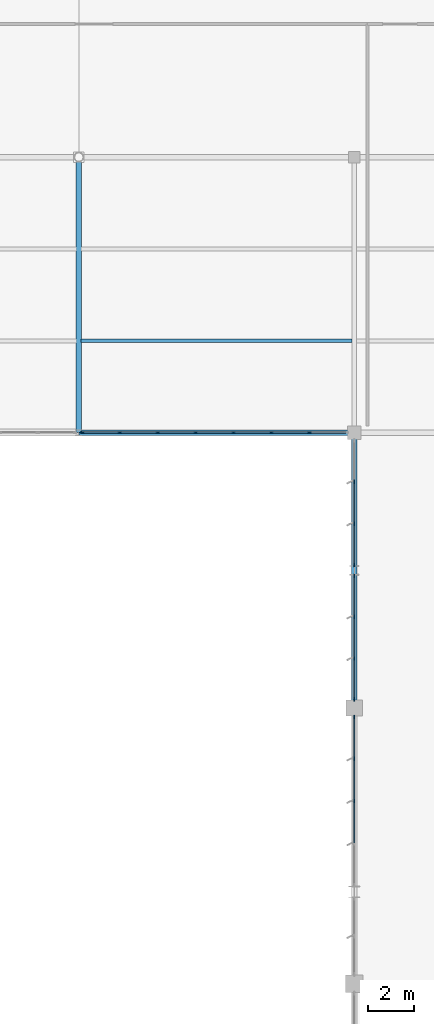
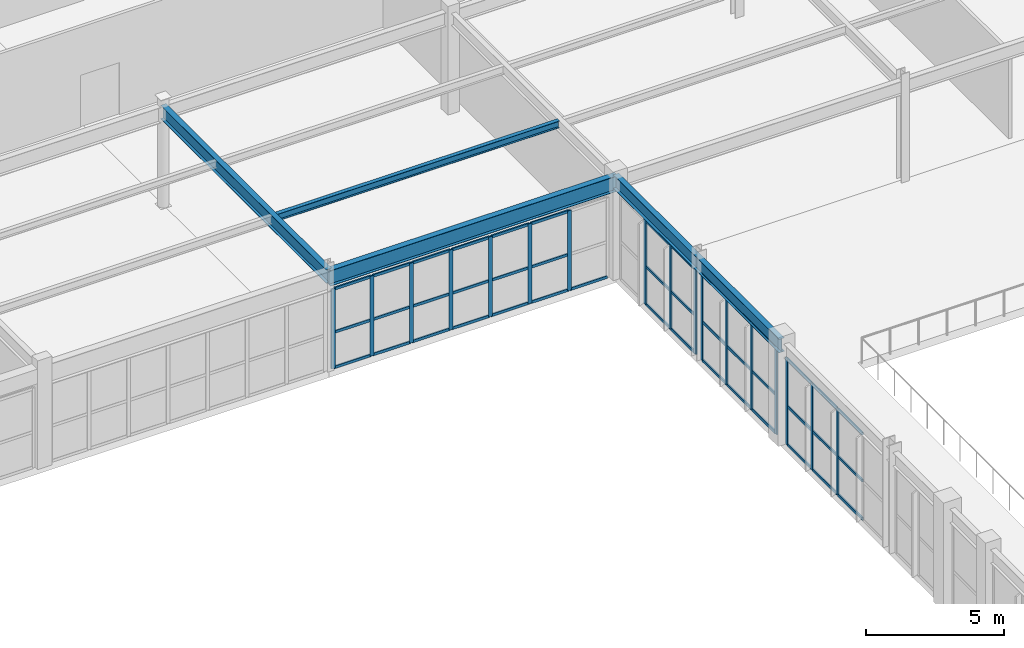
# One storey, part 98 of 226: 60 members, 4 beams, 4 elements without a shape of their own.
"""IFC4 building model written with IfcOpenShell, lengths in metres."""

from ifc_helpers import new_model, si_unit, direction, frame, origin, origin_2d, place, context, subcontext, project, spatial, rectangle, i_section, extrude, material, layer, layer_set, material_profile, profile_set, type_object, element, aggregate, save


model = new_model("IFC4")

# Units and contexts
model_context = context("Model", 3, precision=1e-05, world=origin(), true_north=direction((0.0, 1.0)))
body_context = subcontext(model_context, "Body", "Model", "MODEL_VIEW")
ifc_project = project(units=[si_unit("LENGTHUNIT", "METRE"), si_unit("AREAUNIT", "SQUARE_METRE"), si_unit("VOLUMEUNIT", "CUBIC_METRE"), si_unit("PLANEANGLEUNIT", "RADIAN"), si_unit("MASSUNIT", "GRAM", prefix="KILO")], contexts=[model_context])

# Site, building, storey
site_placement = place(None, origin())
site = spatial("IfcSite", under=ifc_project, at=site_placement, CompositionType="ELEMENT")
building_placement = place(site_placement, origin())
building = spatial("IfcBuilding", under=site, at=building_placement, Name="Tarnwether General Hospital", CompositionType="ELEMENT")
storey_placement = place(building_placement, frame((0.0, 0.0, 4.800048828125)))
storey = spatial("IfcBuildingStorey", under=building, at=storey_placement, Name="L01", CompositionType="ELEMENT", Elevation=4.800048828125)

# Beams
ifc_material_1 = material(Name="Steel Grade 350 (350 MPa)", Category="steel")
ifc_material_profile_1 = material_profile(ifc_material_1, i_section(OverallWidth=0.25, OverallDepth=0.69189453125, WebThickness=0.009033203125, FlangeThickness=0.01611328125, at=origin_2d()), Name="700WB115")
ifc_profile_set_1 = profile_set([ifc_material_profile_1], Name="Steel Grade 350 (350 MPa)")
beam_type_1 = type_object("IfcBeamType", Name="BM-G02", PredefinedType="BEAM", material=ifc_profile_set_1)
beam_1_placement = place(storey_placement, frame((96.0, 81.60009765625, 4.098876953125), z_axis=(1.0, 0.0, 0.0), x_axis=(0.0, 1.0, 0.0)))
element("IfcBeam", 1, at=beam_1_placement, inside=storey, type_object=beam_type_1, Name="Primary Girder BMG-L01-9600_8160-10800_8160-1165", PredefinedType="BEAM", context=body_context, shape_type="SweptSolid", body=[
    extrude(i_section(OverallWidth=0.25, OverallDepth=0.69189453125, WebThickness=0.009033203125, FlangeThickness=0.01611328125, at=origin_2d()), origin(), (0.0, 0.0, 1.0), 12.0),
])
ifc_material_2 = material(Name="Steel Grade 350 (350 MPa)", Category="steel")
ifc_material_profile_2 = material_profile(ifc_material_2, i_section(OverallWidth=0.22802734375, OverallDepth=0.60205078125, WebThickness=0.010498046875, FlangeThickness=0.014892578125, at=origin_2d()), Name="610UB101")
ifc_profile_set_2 = profile_set([ifc_material_profile_2], Name="Steel Grade 350 (350 MPa)")
beam_type_2 = type_object("IfcBeamType", Name="BM-G05", PredefinedType="BEAM", material=ifc_profile_set_2)
for number, where, z_axis, x_axis, name in (
    (2, (96.0, 81.60009765625, 4.14404296875), (0.0, 1.0, 0.0), (-1.0, 0.0, 0.0), "Primary Girder BMG-L01-9600_8160-9600_9360-1166"),
    (3, (108.0, 69.60009765625, 4.14404296875), (0.0, 1.0, 0.0), (-1.0, 0.0, 0.0), "Primary Girder BMG-L01-10800_6960-10800_8160-1178"),
):
    element("IfcBeam", number, at=place(storey_placement, frame(where, z_axis=z_axis, x_axis=x_axis)), inside=storey, type_object=beam_type_2, Name=name, PredefinedType="BEAM", context=body_context, shape_type="SweptSolid", body=[
        extrude(i_section(OverallWidth=0.22802734375, OverallDepth=0.60205078125, WebThickness=0.010498046875, FlangeThickness=0.014892578125, at=origin_2d()), origin(), (0.0, 0.0, 1.0), 12.0),
    ])
ifc_material_3 = material(Name="Steel Grade 350 (350 MPa)", Category="steel")
ifc_material_profile_3 = material_profile(ifc_material_3, i_section(OverallWidth=0.166015625, OverallDepth=0.306884765625, WebThickness=0.006591796875, FlangeThickness=0.01171875, at=origin_2d()), Name="310UB46.2")
ifc_profile_set_3 = profile_set([ifc_material_profile_3], Name="Steel Grade 350 (350 MPa)")
beam_type_3 = type_object("IfcBeamType", Name="BM-J05", PredefinedType="JOIST", material=ifc_profile_set_3)
beam_2_placement = place(storey_placement, frame((96.10791015625, 85.60009765625, 4.29150390625), z_axis=(1.0, 0.0, 0.0), x_axis=(0.0, 1.0, 0.0)))
element("IfcBeam", 4, at=beam_2_placement, inside=storey, type_object=beam_type_3, Name="Composite Floor Joist BMG-L01-9611_8560-10790_8560-1373", PredefinedType="JOIST", context=body_context, shape_type="SweptSolid", body=[
    extrude(i_section(OverallWidth=0.166015625, OverallDepth=0.306884765625, WebThickness=0.006591796875, FlangeThickness=0.01171875, at=origin_2d()), origin(), (0.0, 0.0, 1.0), 11.79296875),
])

# Curtain wall, members
ifc_material_4 = material(Name="Anodised aluminium", Category="aluminium")
ifc_layer_1 = layer(ifc_material_4, 0.159912109375)
ifc_layer_set_1 = layer_set([ifc_layer_1], Name="Anodised aluminium")
curtain_wall_type_1 = type_object("IfcCurtainWallType", Name="CW-23", PredefinedType="NOTDEFINED", material=ifc_layer_set_1)
curtain_wall_1_placement = place(storey_placement, origin())
curtain_wall_1 = element("IfcCurtainWall", 5, at=curtain_wall_1_placement, inside=storey, type_object=curtain_wall_type_1, Name="Curtain Wall CWG-L01-961_816-0342", PredefinedType="NOTDEFINED")
ifc_material_5 = material(Name="Anodised aluminium", Category="aluminium")
ifc_material_profile_4 = material_profile(ifc_material_5, rectangle(XDim=0.06005859375, YDim=0.159912109375, at=origin_2d()), Name="ALU-MUL-60x160")
ifc_profile_set_4 = profile_set([ifc_material_profile_4], Name="Anodised aluminium")
member_type_1 = type_object("IfcMemberType", Name="CW-ML1", PredefinedType="MULLION", material=ifc_profile_set_4)
member_1_placement = place(storey_placement, frame((96.166015625, 81.60009765625, 0.0), z_axis=(0.0, 0.0, 1.0), x_axis=(0.0, 1.0, 0.0)))
member_1 = element("IfcMember", 6, at=member_1_placement, type_object=member_type_1, Name="CW-23 mullion 1", PredefinedType="MULLION", context=body_context, shape_type="SweptSolid", body=[
    extrude(rectangle(XDim=0.06005859375, YDim=0.159912109375, at=origin_2d()), origin(), (0.0, 0.0, 1.0), 3.530029296875),
])
member_2_placement = place(storey_placement, frame((97.786865234375, 81.60009765625, 0.0), z_axis=(0.0, 0.0, 1.0), x_axis=(0.0, 1.0, 0.0)))
member_2 = element("IfcMember", 7, at=member_2_placement, type_object=member_type_1, Name="CW-23 mullion 2", PredefinedType="MULLION", context=body_context, shape_type="SweptSolid", body=[
    extrude(rectangle(XDim=0.06005859375, YDim=0.159912109375, at=origin_2d()), origin(), (0.0, 0.0, 1.0), 3.530029296875),
])
member_3_placement = place(storey_placement, frame((99.437744140625, 81.60009765625, 0.0), z_axis=(0.0, 0.0, 1.0), x_axis=(0.0, 1.0, 0.0)))
member_3 = element("IfcMember", 8, at=member_3_placement, type_object=member_type_1, Name="CW-23 mullion 3", PredefinedType="MULLION", context=body_context, shape_type="SweptSolid", body=[
    extrude(rectangle(XDim=0.06005859375, YDim=0.159912109375, at=origin_2d()), origin(), (0.0, 0.0, 1.0), 3.530029296875),
])
member_4_placement = place(storey_placement, frame((101.088623046875, 81.60009765625, 0.0), z_axis=(0.0, 0.0, 1.0), x_axis=(0.0, 1.0, 0.0)))
member_4 = element("IfcMember", 9, at=member_4_placement, type_object=member_type_1, Name="CW-23 mullion 4", PredefinedType="MULLION", context=body_context, shape_type="SweptSolid", body=[
    extrude(rectangle(XDim=0.06005859375, YDim=0.159912109375, at=origin_2d()), origin(), (0.0, 0.0, 1.0), 3.530029296875),
])
member_5_placement = place(storey_placement, frame((102.739501953125, 81.60009765625, 0.0), z_axis=(0.0, 0.0, 1.0), x_axis=(0.0, 1.0, 0.0)))
member_5 = element("IfcMember", 10, at=member_5_placement, type_object=member_type_1, Name="CW-23 mullion 5", PredefinedType="MULLION", context=body_context, shape_type="SweptSolid", body=[
    extrude(rectangle(XDim=0.06005859375, YDim=0.159912109375, at=origin_2d()), origin(), (0.0, 0.0, 1.0), 3.530029296875),
])
member_6_placement = place(storey_placement, frame((104.390380859375, 81.60009765625, 0.0), z_axis=(0.0, 0.0, 1.0), x_axis=(0.0, 1.0, 0.0)))
member_6 = element("IfcMember", 11, at=member_6_placement, type_object=member_type_1, Name="CW-23 mullion 6", PredefinedType="MULLION", context=body_context, shape_type="SweptSolid", body=[
    extrude(rectangle(XDim=0.06005859375, YDim=0.159912109375, at=origin_2d()), origin(), (0.0, 0.0, 1.0), 3.530029296875),
])
member_7_placement = place(storey_placement, frame((106.041259765625, 81.60009765625, 0.0), z_axis=(0.0, 0.0, 1.0), x_axis=(0.0, 1.0, 0.0)))
member_7 = element("IfcMember", 12, at=member_7_placement, type_object=member_type_1, Name="CW-23 mullion 7", PredefinedType="MULLION", context=body_context, shape_type="SweptSolid", body=[
    extrude(rectangle(XDim=0.06005859375, YDim=0.159912109375, at=origin_2d()), origin(), (0.0, 0.0, 1.0), 3.530029296875),
])

ifc_material_6 = material(Name="Anodised aluminium", Category="aluminium")
ifc_layer_2 = layer(ifc_material_6, 0.179931640625)
ifc_layer_set_2 = layer_set([ifc_layer_2], Name="Anodised aluminium")
curtain_wall_type_2 = type_object("IfcCurtainWallType", Name="CW-07", PredefinedType="NOTDEFINED", material=ifc_layer_set_2)
curtain_wall_2_placement = place(storey_placement, origin())
curtain_wall_2 = element("IfcCurtainWall", 13, at=curtain_wall_2_placement, inside=storey, type_object=curtain_wall_type_2, Name="Curtain Wall CWG-L01-1080_619-0358", PredefinedType="NOTDEFINED")
member_8_placement = place(storey_placement, frame((108.0, 65.550048828125, 0.0), z_axis=(0.0, 0.0, 1.0), x_axis=(-1.0, 0.0, 0.0)))
member_8 = element("IfcMember", 14, at=member_8_placement, type_object=member_type_1, Name="CW-07 mullion 3", PredefinedType="MULLION", context=body_context, shape_type="SweptSolid", body=[
    extrude(rectangle(XDim=0.06005859375, YDim=0.159912109375, at=origin_2d()), origin(), (0.0, 0.0, 1.0), 3.822998046875),
])
member_9_placement = place(storey_placement, frame((108.0, 67.39599609375, 0.0), z_axis=(0.0, 0.0, 1.0), x_axis=(-1.0, 0.0, 0.0)))
member_9 = element("IfcMember", 15, at=member_9_placement, type_object=member_type_1, Name="CW-07 mullion 4", PredefinedType="MULLION", context=body_context, shape_type="SweptSolid", body=[
    extrude(rectangle(XDim=0.06005859375, YDim=0.159912109375, at=origin_2d()), origin(), (0.0, 0.0, 1.0), 3.822998046875),
])
member_10_placement = place(storey_placement, frame((108.0, 69.2119140625, 0.0), z_axis=(0.0, 0.0, 1.0), x_axis=(-1.0, 0.0, 0.0)))
member_10 = element("IfcMember", 16, at=member_10_placement, type_object=member_type_1, Name="CW-07 mullion 5", PredefinedType="MULLION", context=body_context, shape_type="SweptSolid", body=[
    extrude(rectangle(XDim=0.06005859375, YDim=0.159912109375, at=origin_2d()), origin(), (0.0, 0.0, 1.0), 3.822998046875),
])

curtain_wall_3_placement = place(storey_placement, origin())
curtain_wall_3 = element("IfcCurtainWall", 17, at=curtain_wall_3_placement, inside=storey, type_object=curtain_wall_type_2, Name="Curtain Wall CWG-L01-1080_700-0359", PredefinedType="NOTDEFINED")
member_11_placement = place(storey_placement, frame((108.0, 69.988037109375, 0.0), z_axis=(0.0, 0.0, 1.0), x_axis=(-1.0, 0.0, 0.0)))
member_11 = element("IfcMember", 18, at=member_11_placement, type_object=member_type_1, Name="CW-07 mullion 1", PredefinedType="MULLION", context=body_context, shape_type="SweptSolid", body=[
    extrude(rectangle(XDim=0.06005859375, YDim=0.159912109375, at=origin_2d()), origin(), (0.0, 0.0, 1.0), 3.827880859375),
])
member_12_placement = place(storey_placement, frame((108.0, 71.769287109375, 0.0), z_axis=(0.0, 0.0, 1.0), x_axis=(-1.0, 0.0, 0.0)))
member_12 = element("IfcMember", 19, at=member_12_placement, type_object=member_type_1, Name="CW-07 mullion 2", PredefinedType="MULLION", context=body_context, shape_type="SweptSolid", body=[
    extrude(rectangle(XDim=0.06005859375, YDim=0.159912109375, at=origin_2d()), origin(), (0.0, 0.0, 1.0), 3.827880859375),
])
member_13_placement = place(storey_placement, frame((108.0, 73.58056640625, 0.0), z_axis=(0.0, 0.0, 1.0), x_axis=(-1.0, 0.0, 0.0)))
member_13 = element("IfcMember", 20, at=member_13_placement, type_object=member_type_1, Name="CW-07 mullion 3", PredefinedType="MULLION", context=body_context, shape_type="SweptSolid", body=[
    extrude(rectangle(XDim=0.06005859375, YDim=0.159912109375, at=origin_2d()), origin(), (0.0, 0.0, 1.0), 3.827880859375),
])
member_14_placement = place(storey_placement, frame((108.0, 75.362060546875, 0.0), z_axis=(0.0, 0.0, 1.0), x_axis=(-1.0, 0.0, 0.0)))
member_14 = element("IfcMember", 21, at=member_14_placement, type_object=member_type_1, Name="CW-07 mullion 4", PredefinedType="MULLION", context=body_context, shape_type="SweptSolid", body=[
    extrude(rectangle(XDim=0.06005859375, YDim=0.159912109375, at=origin_2d()), origin(), (0.0, 0.0, 1.0), 3.827880859375),
])

curtain_wall_4_placement = place(storey_placement, origin())
curtain_wall_4 = element("IfcCurtainWall", 22, at=curtain_wall_4_placement, inside=storey, type_object=curtain_wall_type_2, Name="Curtain Wall CWG-L01-1080_758-0360", PredefinedType="NOTDEFINED")
member_15_placement = place(storey_placement, frame((108.0, 75.837890625, 0.0), z_axis=(0.0, 0.0, 1.0), x_axis=(-1.0, 0.0, 0.0)))
member_15 = element("IfcMember", 23, at=member_15_placement, type_object=member_type_1, Name="CW-07 mullion 1", PredefinedType="MULLION", context=body_context, shape_type="SweptSolid", body=[
    extrude(rectangle(XDim=0.06005859375, YDim=0.159912109375, at=origin_2d()), origin(), (0.0, 0.0, 1.0), 3.738037109375),
])
member_16_placement = place(storey_placement, frame((108.0, 77.635986328125, 0.0), z_axis=(0.0, 0.0, 1.0), x_axis=(-1.0, 0.0, 0.0)))
member_16 = element("IfcMember", 24, at=member_16_placement, type_object=member_type_1, Name="CW-07 mullion 2", PredefinedType="MULLION", context=body_context, shape_type="SweptSolid", body=[
    extrude(rectangle(XDim=0.06005859375, YDim=0.159912109375, at=origin_2d()), origin(), (0.0, 0.0, 1.0), 3.738037109375),
])
member_17_placement = place(storey_placement, frame((108.0, 79.464111328125, 0.0), z_axis=(0.0, 0.0, 1.0), x_axis=(-1.0, 0.0, 0.0)))
member_17 = element("IfcMember", 25, at=member_17_placement, type_object=member_type_1, Name="CW-07 mullion 3", PredefinedType="MULLION", context=body_context, shape_type="SweptSolid", body=[
    extrude(rectangle(XDim=0.06005859375, YDim=0.159912109375, at=origin_2d()), origin(), (0.0, 0.0, 1.0), 3.738037109375),
])

# Member
ifc_material_7 = material(Name="Anodised aluminium", Category="aluminium")
ifc_material_profile_5 = material_profile(ifc_material_7, rectangle(XDim=0.06005859375, YDim=0.1201171875, at=origin_2d()), Name="ALU-TRN-60x120")
ifc_profile_set_5 = profile_set([ifc_material_profile_5], Name="Anodised aluminium")
member_type_2 = type_object("IfcMemberType", Name="CW-TR1", PredefinedType="USERDEFINED", material=ifc_profile_set_5)
member_18_placement = place(storey_placement, frame((96.196044921875, 81.60009765625, 0.030029296875), z_axis=(1.0, 0.0, 0.0), x_axis=(0.0, 1.0, 0.0)))
member_18 = element("IfcMember", 26, at=member_18_placement, type_object=member_type_2, Name="CW-23 transom 1.1", ObjectType="TRANSOM", PredefinedType="USERDEFINED", context=body_context, shape_type="SweptSolid", body=[
    extrude(rectangle(XDim=0.06005859375, YDim=0.1201171875, at=origin_2d()), origin(), (0.0, 0.0, 1.0), 1.560791015625),
])

member_19_placement = place(storey_placement, frame((96.196044921875, 81.60009765625, 1.58837890625), z_axis=(1.0, 0.0, 0.0), x_axis=(0.0, 1.0, 0.0)))
member_19 = element("IfcMember", 27, at=member_19_placement, type_object=member_type_2, Name="CW-23 transom 1.2", ObjectType="TRANSOM", PredefinedType="USERDEFINED", context=body_context, shape_type="SweptSolid", body=[
    extrude(rectangle(XDim=0.06005859375, YDim=0.1201171875, at=origin_2d()), origin(), (0.0, 0.0, 1.0), 1.560791015625),
])

member_20_placement = place(storey_placement, frame((96.196044921875, 81.60009765625, 3.5), z_axis=(1.0, 0.0, 0.0), x_axis=(0.0, 1.0, 0.0)))
member_20 = element("IfcMember", 28, at=member_20_placement, type_object=member_type_2, Name="CW-23 transom 1.3", ObjectType="TRANSOM", PredefinedType="USERDEFINED", context=body_context, shape_type="SweptSolid", body=[
    extrude(rectangle(XDim=0.06005859375, YDim=0.1201171875, at=origin_2d()), origin(), (0.0, 0.0, 1.0), 1.560791015625),
])

member_21_placement = place(storey_placement, frame((97.81689453125, 81.60009765625, 0.030029296875), z_axis=(1.0, 0.0, 0.0), x_axis=(0.0, 1.0, 0.0)))
member_21 = element("IfcMember", 29, at=member_21_placement, type_object=member_type_2, Name="CW-23 transom 2.1", ObjectType="TRANSOM", PredefinedType="USERDEFINED", context=body_context, shape_type="SweptSolid", body=[
    extrude(rectangle(XDim=0.06005859375, YDim=0.1201171875, at=origin_2d()), origin(), (0.0, 0.0, 1.0), 1.5908203125),
])

member_22_placement = place(storey_placement, frame((97.81689453125, 81.60009765625, 1.58837890625), z_axis=(1.0, 0.0, 0.0), x_axis=(0.0, 1.0, 0.0)))
member_22 = element("IfcMember", 30, at=member_22_placement, type_object=member_type_2, Name="CW-23 transom 2.2", ObjectType="TRANSOM", PredefinedType="USERDEFINED", context=body_context, shape_type="SweptSolid", body=[
    extrude(rectangle(XDim=0.06005859375, YDim=0.1201171875, at=origin_2d()), origin(), (0.0, 0.0, 1.0), 1.5908203125),
])

member_23_placement = place(storey_placement, frame((97.81689453125, 81.60009765625, 3.5), z_axis=(1.0, 0.0, 0.0), x_axis=(0.0, 1.0, 0.0)))
member_23 = element("IfcMember", 31, at=member_23_placement, type_object=member_type_2, Name="CW-23 transom 2.3", ObjectType="TRANSOM", PredefinedType="USERDEFINED", context=body_context, shape_type="SweptSolid", body=[
    extrude(rectangle(XDim=0.06005859375, YDim=0.1201171875, at=origin_2d()), origin(), (0.0, 0.0, 1.0), 1.5908203125),
])

member_24_placement = place(storey_placement, frame((99.4677734375, 81.60009765625, 0.030029296875), z_axis=(1.0, 0.0, 0.0), x_axis=(0.0, 1.0, 0.0)))
member_24 = element("IfcMember", 32, at=member_24_placement, type_object=member_type_2, Name="CW-23 transom 3.1", ObjectType="TRANSOM", PredefinedType="USERDEFINED", context=body_context, shape_type="SweptSolid", body=[
    extrude(rectangle(XDim=0.06005859375, YDim=0.1201171875, at=origin_2d()), origin(), (0.0, 0.0, 1.0), 1.5908203125),
])

member_25_placement = place(storey_placement, frame((99.4677734375, 81.60009765625, 1.58837890625), z_axis=(1.0, 0.0, 0.0), x_axis=(0.0, 1.0, 0.0)))
member_25 = element("IfcMember", 33, at=member_25_placement, type_object=member_type_2, Name="CW-23 transom 3.2", ObjectType="TRANSOM", PredefinedType="USERDEFINED", context=body_context, shape_type="SweptSolid", body=[
    extrude(rectangle(XDim=0.06005859375, YDim=0.1201171875, at=origin_2d()), origin(), (0.0, 0.0, 1.0), 1.5908203125),
])

member_26_placement = place(storey_placement, frame((99.4677734375, 81.60009765625, 3.5), z_axis=(1.0, 0.0, 0.0), x_axis=(0.0, 1.0, 0.0)))
member_26 = element("IfcMember", 34, at=member_26_placement, type_object=member_type_2, Name="CW-23 transom 3.3", ObjectType="TRANSOM", PredefinedType="USERDEFINED", context=body_context, shape_type="SweptSolid", body=[
    extrude(rectangle(XDim=0.06005859375, YDim=0.1201171875, at=origin_2d()), origin(), (0.0, 0.0, 1.0), 1.5908203125),
])

member_27_placement = place(storey_placement, frame((101.11865234375, 81.60009765625, 0.030029296875), z_axis=(1.0, 0.0, 0.0), x_axis=(0.0, 1.0, 0.0)))
member_27 = element("IfcMember", 35, at=member_27_placement, type_object=member_type_2, Name="CW-23 transom 4.1", ObjectType="TRANSOM", PredefinedType="USERDEFINED", context=body_context, shape_type="SweptSolid", body=[
    extrude(rectangle(XDim=0.06005859375, YDim=0.1201171875, at=origin_2d()), origin(), (0.0, 0.0, 1.0), 1.5908203125),
])

member_28_placement = place(storey_placement, frame((101.11865234375, 81.60009765625, 1.58837890625), z_axis=(1.0, 0.0, 0.0), x_axis=(0.0, 1.0, 0.0)))
member_28 = element("IfcMember", 36, at=member_28_placement, type_object=member_type_2, Name="CW-23 transom 4.2", ObjectType="TRANSOM", PredefinedType="USERDEFINED", context=body_context, shape_type="SweptSolid", body=[
    extrude(rectangle(XDim=0.06005859375, YDim=0.1201171875, at=origin_2d()), origin(), (0.0, 0.0, 1.0), 1.5908203125),
])

member_29_placement = place(storey_placement, frame((101.11865234375, 81.60009765625, 3.5), z_axis=(1.0, 0.0, 0.0), x_axis=(0.0, 1.0, 0.0)))
member_29 = element("IfcMember", 37, at=member_29_placement, type_object=member_type_2, Name="CW-23 transom 4.3", ObjectType="TRANSOM", PredefinedType="USERDEFINED", context=body_context, shape_type="SweptSolid", body=[
    extrude(rectangle(XDim=0.06005859375, YDim=0.1201171875, at=origin_2d()), origin(), (0.0, 0.0, 1.0), 1.5908203125),
])

member_30_placement = place(storey_placement, frame((102.76953125, 81.60009765625, 0.030029296875), z_axis=(1.0, 0.0, 0.0), x_axis=(0.0, 1.0, 0.0)))
member_30 = element("IfcMember", 38, at=member_30_placement, type_object=member_type_2, Name="CW-23 transom 5.1", ObjectType="TRANSOM", PredefinedType="USERDEFINED", context=body_context, shape_type="SweptSolid", body=[
    extrude(rectangle(XDim=0.06005859375, YDim=0.1201171875, at=origin_2d()), origin(), (0.0, 0.0, 1.0), 1.5908203125),
])

member_31_placement = place(storey_placement, frame((102.76953125, 81.60009765625, 1.58837890625), z_axis=(1.0, 0.0, 0.0), x_axis=(0.0, 1.0, 0.0)))
member_31 = element("IfcMember", 39, at=member_31_placement, type_object=member_type_2, Name="CW-23 transom 5.2", ObjectType="TRANSOM", PredefinedType="USERDEFINED", context=body_context, shape_type="SweptSolid", body=[
    extrude(rectangle(XDim=0.06005859375, YDim=0.1201171875, at=origin_2d()), origin(), (0.0, 0.0, 1.0), 1.5908203125),
])

member_32_placement = place(storey_placement, frame((102.76953125, 81.60009765625, 3.5), z_axis=(1.0, 0.0, 0.0), x_axis=(0.0, 1.0, 0.0)))
member_32 = element("IfcMember", 40, at=member_32_placement, type_object=member_type_2, Name="CW-23 transom 5.3", ObjectType="TRANSOM", PredefinedType="USERDEFINED", context=body_context, shape_type="SweptSolid", body=[
    extrude(rectangle(XDim=0.06005859375, YDim=0.1201171875, at=origin_2d()), origin(), (0.0, 0.0, 1.0), 1.5908203125),
])

member_33_placement = place(storey_placement, frame((104.420166015625, 81.60009765625, 0.030029296875), z_axis=(1.0, 0.0, 0.0), x_axis=(0.0, 1.0, 0.0)))
member_33 = element("IfcMember", 41, at=member_33_placement, type_object=member_type_2, Name="CW-23 transom 6.1", ObjectType="TRANSOM", PredefinedType="USERDEFINED", context=body_context, shape_type="SweptSolid", body=[
    extrude(rectangle(XDim=0.06005859375, YDim=0.1201171875, at=origin_2d()), origin(), (0.0, 0.0, 1.0), 1.591064453125),
])

member_34_placement = place(storey_placement, frame((104.420166015625, 81.60009765625, 1.58837890625), z_axis=(1.0, 0.0, 0.0), x_axis=(0.0, 1.0, 0.0)))
member_34 = element("IfcMember", 42, at=member_34_placement, type_object=member_type_2, Name="CW-23 transom 6.2", ObjectType="TRANSOM", PredefinedType="USERDEFINED", context=body_context, shape_type="SweptSolid", body=[
    extrude(rectangle(XDim=0.06005859375, YDim=0.1201171875, at=origin_2d()), origin(), (0.0, 0.0, 1.0), 1.591064453125),
])

member_35_placement = place(storey_placement, frame((104.420166015625, 81.60009765625, 3.5), z_axis=(1.0, 0.0, 0.0), x_axis=(0.0, 1.0, 0.0)))
member_35 = element("IfcMember", 43, at=member_35_placement, type_object=member_type_2, Name="CW-23 transom 6.3", ObjectType="TRANSOM", PredefinedType="USERDEFINED", context=body_context, shape_type="SweptSolid", body=[
    extrude(rectangle(XDim=0.06005859375, YDim=0.1201171875, at=origin_2d()), origin(), (0.0, 0.0, 1.0), 1.591064453125),
])

member_36_placement = place(storey_placement, frame((106.071044921875, 81.60009765625, 0.030029296875), z_axis=(1.0, 0.0, 0.0), x_axis=(0.0, 1.0, 0.0)))
member_36 = element("IfcMember", 44, at=member_36_placement, type_object=member_type_2, Name="CW-23 transom 7.1", ObjectType="TRANSOM", PredefinedType="USERDEFINED", context=body_context, shape_type="SweptSolid", body=[
    extrude(rectangle(XDim=0.06005859375, YDim=0.1201171875, at=origin_2d()), origin(), (0.0, 0.0, 1.0), 1.56103515625),
])

aggregate(curtain_wall_1, [member_1, member_2, member_3, member_4, member_5, member_6, member_7, member_18, member_19, member_20, member_21, member_22, member_23, member_24, member_25, member_26, member_27, member_28, member_29, member_30, member_31, member_32, member_33, member_34, member_35, member_36])

member_37_placement = place(storey_placement, frame((108.0, 63.73388671875, 0.030029296875), z_axis=(0.0, 1.0, 0.0), x_axis=(-1.0, 0.0, 0.0)))
member_37 = element("IfcMember", 45, at=member_37_placement, type_object=member_type_2, Name="CW-07 transom 2.1", ObjectType="TRANSOM", PredefinedType="USERDEFINED", context=body_context, shape_type="SweptSolid", body=[
    extrude(rectangle(XDim=0.06005859375, YDim=0.1201171875, at=origin_2d()), origin(), (0.0, 0.0, 1.0), 1.7861328125),
])

member_38_placement = place(storey_placement, frame((108.0, 63.73388671875, 1.72021484375), z_axis=(0.0, 1.0, 0.0), x_axis=(-1.0, 0.0, 0.0)))
member_38 = element("IfcMember", 46, at=member_38_placement, type_object=member_type_2, Name="CW-07 transom 2.2", ObjectType="TRANSOM", PredefinedType="USERDEFINED", context=body_context, shape_type="SweptSolid", body=[
    extrude(rectangle(XDim=0.06005859375, YDim=0.1201171875, at=origin_2d()), origin(), (0.0, 0.0, 1.0), 1.7861328125),
])

member_39_placement = place(storey_placement, frame((108.0, 63.73388671875, 3.79296875), z_axis=(0.0, 1.0, 0.0), x_axis=(-1.0, 0.0, 0.0)))
member_39 = element("IfcMember", 47, at=member_39_placement, type_object=member_type_2, Name="CW-07 transom 2.3", ObjectType="TRANSOM", PredefinedType="USERDEFINED", context=body_context, shape_type="SweptSolid", body=[
    extrude(rectangle(XDim=0.06005859375, YDim=0.1201171875, at=origin_2d()), origin(), (0.0, 0.0, 1.0), 1.7861328125),
])

member_40_placement = place(storey_placement, frame((108.0, 65.580078125, 0.030029296875), z_axis=(0.0, 1.0, 0.0), x_axis=(-1.0, 0.0, 0.0)))
member_40 = element("IfcMember", 48, at=member_40_placement, type_object=member_type_2, Name="CW-07 transom 3.1", ObjectType="TRANSOM", PredefinedType="USERDEFINED", context=body_context, shape_type="SweptSolid", body=[
    extrude(rectangle(XDim=0.06005859375, YDim=0.1201171875, at=origin_2d()), origin(), (0.0, 0.0, 1.0), 1.785888671875),
])

member_41_placement = place(storey_placement, frame((108.0, 65.580078125, 1.72021484375), z_axis=(0.0, 1.0, 0.0), x_axis=(-1.0, 0.0, 0.0)))
member_41 = element("IfcMember", 49, at=member_41_placement, type_object=member_type_2, Name="CW-07 transom 3.2", ObjectType="TRANSOM", PredefinedType="USERDEFINED", context=body_context, shape_type="SweptSolid", body=[
    extrude(rectangle(XDim=0.06005859375, YDim=0.1201171875, at=origin_2d()), origin(), (0.0, 0.0, 1.0), 1.785888671875),
])

member_42_placement = place(storey_placement, frame((108.0, 65.580078125, 3.79296875), z_axis=(0.0, 1.0, 0.0), x_axis=(-1.0, 0.0, 0.0)))
member_42 = element("IfcMember", 50, at=member_42_placement, type_object=member_type_2, Name="CW-07 transom 3.3", ObjectType="TRANSOM", PredefinedType="USERDEFINED", context=body_context, shape_type="SweptSolid", body=[
    extrude(rectangle(XDim=0.06005859375, YDim=0.1201171875, at=origin_2d()), origin(), (0.0, 0.0, 1.0), 1.785888671875),
])

member_43_placement = place(storey_placement, frame((108.0, 67.426025390625, 0.030029296875), z_axis=(0.0, 1.0, 0.0), x_axis=(-1.0, 0.0, 0.0)))
member_43 = element("IfcMember", 51, at=member_43_placement, type_object=member_type_2, Name="CW-07 transom 4.1", ObjectType="TRANSOM", PredefinedType="USERDEFINED", context=body_context, shape_type="SweptSolid", body=[
    extrude(rectangle(XDim=0.06005859375, YDim=0.1201171875, at=origin_2d()), origin(), (0.0, 0.0, 1.0), 1.755859375),
])

member_44_placement = place(storey_placement, frame((108.0, 67.426025390625, 1.72021484375), z_axis=(0.0, 1.0, 0.0), x_axis=(-1.0, 0.0, 0.0)))
member_44 = element("IfcMember", 52, at=member_44_placement, type_object=member_type_2, Name="CW-07 transom 4.2", ObjectType="TRANSOM", PredefinedType="USERDEFINED", context=body_context, shape_type="SweptSolid", body=[
    extrude(rectangle(XDim=0.06005859375, YDim=0.1201171875, at=origin_2d()), origin(), (0.0, 0.0, 1.0), 1.755859375),
])

member_45_placement = place(storey_placement, frame((108.0, 67.426025390625, 3.79296875), z_axis=(0.0, 1.0, 0.0), x_axis=(-1.0, 0.0, 0.0)))
member_45 = element("IfcMember", 53, at=member_45_placement, type_object=member_type_2, Name="CW-07 transom 4.3", ObjectType="TRANSOM", PredefinedType="USERDEFINED", context=body_context, shape_type="SweptSolid", body=[
    extrude(rectangle(XDim=0.06005859375, YDim=0.1201171875, at=origin_2d()), origin(), (0.0, 0.0, 1.0), 1.755859375),
])

aggregate(curtain_wall_2, [member_8, member_9, member_10, member_37, member_38, member_39, member_40, member_41, member_42, member_43, member_44, member_45])

member_46_placement = place(storey_placement, frame((108.0, 70.01806640625, 0.030029296875), z_axis=(0.0, 1.0, 0.0), x_axis=(-1.0, 0.0, 0.0)))
member_46 = element("IfcMember", 54, at=member_46_placement, type_object=member_type_2, Name="CW-07 transom 1.1", ObjectType="TRANSOM", PredefinedType="USERDEFINED", context=body_context, shape_type="SweptSolid", body=[
    extrude(rectangle(XDim=0.06005859375, YDim=0.1201171875, at=origin_2d()), origin(), (0.0, 0.0, 1.0), 1.72119140625),
])

member_47_placement = place(storey_placement, frame((108.0, 70.01806640625, 1.72265625), z_axis=(0.0, 1.0, 0.0), x_axis=(-1.0, 0.0, 0.0)))
member_47 = element("IfcMember", 55, at=member_47_placement, type_object=member_type_2, Name="CW-07 transom 1.2", ObjectType="TRANSOM", PredefinedType="USERDEFINED", context=body_context, shape_type="SweptSolid", body=[
    extrude(rectangle(XDim=0.06005859375, YDim=0.1201171875, at=origin_2d()), origin(), (0.0, 0.0, 1.0), 1.72119140625),
])

member_48_placement = place(storey_placement, frame((108.0, 70.01806640625, 3.7978515625), z_axis=(0.0, 1.0, 0.0), x_axis=(-1.0, 0.0, 0.0)))
member_48 = element("IfcMember", 56, at=member_48_placement, type_object=member_type_2, Name="CW-07 transom 1.3", ObjectType="TRANSOM", PredefinedType="USERDEFINED", context=body_context, shape_type="SweptSolid", body=[
    extrude(rectangle(XDim=0.06005859375, YDim=0.1201171875, at=origin_2d()), origin(), (0.0, 0.0, 1.0), 1.72119140625),
])

member_49_placement = place(storey_placement, frame((108.0, 71.79931640625, 0.030029296875), z_axis=(0.0, 1.0, 0.0), x_axis=(-1.0, 0.0, 0.0)))
member_49 = element("IfcMember", 57, at=member_49_placement, type_object=member_type_2, Name="CW-07 transom 2.1", ObjectType="TRANSOM", PredefinedType="USERDEFINED", context=body_context, shape_type="SweptSolid", body=[
    extrude(rectangle(XDim=0.06005859375, YDim=0.1201171875, at=origin_2d()), origin(), (0.0, 0.0, 1.0), 1.75146484375),
])

member_50_placement = place(storey_placement, frame((108.0, 71.79931640625, 1.72265625), z_axis=(0.0, 1.0, 0.0), x_axis=(-1.0, 0.0, 0.0)))
member_50 = element("IfcMember", 58, at=member_50_placement, type_object=member_type_2, Name="CW-07 transom 2.2", ObjectType="TRANSOM", PredefinedType="USERDEFINED", context=body_context, shape_type="SweptSolid", body=[
    extrude(rectangle(XDim=0.06005859375, YDim=0.1201171875, at=origin_2d()), origin(), (0.0, 0.0, 1.0), 1.75146484375),
])

member_51_placement = place(storey_placement, frame((108.0, 71.79931640625, 3.7978515625), z_axis=(0.0, 1.0, 0.0), x_axis=(-1.0, 0.0, 0.0)))
member_51 = element("IfcMember", 59, at=member_51_placement, type_object=member_type_2, Name="CW-07 transom 2.3", ObjectType="TRANSOM", PredefinedType="USERDEFINED", context=body_context, shape_type="SweptSolid", body=[
    extrude(rectangle(XDim=0.06005859375, YDim=0.1201171875, at=origin_2d()), origin(), (0.0, 0.0, 1.0), 1.75146484375),
])

member_52_placement = place(storey_placement, frame((108.0, 73.610595703125, 0.030029296875), z_axis=(0.0, 1.0, 0.0), x_axis=(-1.0, 0.0, 0.0)))
member_52 = element("IfcMember", 60, at=member_52_placement, type_object=member_type_2, Name="CW-07 transom 3.1", ObjectType="TRANSOM", PredefinedType="USERDEFINED", context=body_context, shape_type="SweptSolid", body=[
    extrude(rectangle(XDim=0.06005859375, YDim=0.1201171875, at=origin_2d()), origin(), (0.0, 0.0, 1.0), 1.721435546875),
])

member_53_placement = place(storey_placement, frame((108.0, 73.610595703125, 1.72265625), z_axis=(0.0, 1.0, 0.0), x_axis=(-1.0, 0.0, 0.0)))
member_53 = element("IfcMember", 61, at=member_53_placement, type_object=member_type_2, Name="CW-07 transom 3.2", ObjectType="TRANSOM", PredefinedType="USERDEFINED", context=body_context, shape_type="SweptSolid", body=[
    extrude(rectangle(XDim=0.06005859375, YDim=0.1201171875, at=origin_2d()), origin(), (0.0, 0.0, 1.0), 1.721435546875),
])

member_54_placement = place(storey_placement, frame((108.0, 73.610595703125, 3.7978515625), z_axis=(0.0, 1.0, 0.0), x_axis=(-1.0, 0.0, 0.0)))
member_54 = element("IfcMember", 62, at=member_54_placement, type_object=member_type_2, Name="CW-07 transom 3.3", ObjectType="TRANSOM", PredefinedType="USERDEFINED", context=body_context, shape_type="SweptSolid", body=[
    extrude(rectangle(XDim=0.06005859375, YDim=0.1201171875, at=origin_2d()), origin(), (0.0, 0.0, 1.0), 1.721435546875),
])

aggregate(curtain_wall_3, [member_11, member_12, member_13, member_14, member_46, member_47, member_48, member_49, member_50, member_51, member_52, member_53, member_54])

member_55_placement = place(storey_placement, frame((108.0, 75.867919921875, 0.030029296875), z_axis=(0.0, 1.0, 0.0), x_axis=(-1.0, 0.0, 0.0)))
member_55 = element("IfcMember", 63, at=member_55_placement, type_object=member_type_2, Name="CW-07 transom 1.1", ObjectType="TRANSOM", PredefinedType="USERDEFINED", context=body_context, shape_type="SweptSolid", body=[
    extrude(rectangle(XDim=0.06005859375, YDim=0.1201171875, at=origin_2d()), origin(), (0.0, 0.0, 1.0), 1.738037109375),
])

member_56_placement = place(storey_placement, frame((108.0, 75.867919921875, 1.68212890625), z_axis=(0.0, 1.0, 0.0), x_axis=(-1.0, 0.0, 0.0)))
member_56 = element("IfcMember", 64, at=member_56_placement, type_object=member_type_2, Name="CW-07 transom 1.2", ObjectType="TRANSOM", PredefinedType="USERDEFINED", context=body_context, shape_type="SweptSolid", body=[
    extrude(rectangle(XDim=0.06005859375, YDim=0.1201171875, at=origin_2d()), origin(), (0.0, 0.0, 1.0), 1.738037109375),
])

member_57_placement = place(storey_placement, frame((108.0, 75.867919921875, 3.7080078125), z_axis=(0.0, 1.0, 0.0), x_axis=(-1.0, 0.0, 0.0)))
member_57 = element("IfcMember", 65, at=member_57_placement, type_object=member_type_2, Name="CW-07 transom 1.3", ObjectType="TRANSOM", PredefinedType="USERDEFINED", context=body_context, shape_type="SweptSolid", body=[
    extrude(rectangle(XDim=0.06005859375, YDim=0.1201171875, at=origin_2d()), origin(), (0.0, 0.0, 1.0), 1.738037109375),
])

member_58_placement = place(storey_placement, frame((108.0, 77.666015625, 0.030029296875), z_axis=(0.0, 1.0, 0.0), x_axis=(-1.0, 0.0, 0.0)))
member_58 = element("IfcMember", 66, at=member_58_placement, type_object=member_type_2, Name="CW-07 transom 2.1", ObjectType="TRANSOM", PredefinedType="USERDEFINED", context=body_context, shape_type="SweptSolid", body=[
    extrude(rectangle(XDim=0.06005859375, YDim=0.1201171875, at=origin_2d()), origin(), (0.0, 0.0, 1.0), 1.76806640625),
])

member_59_placement = place(storey_placement, frame((108.0, 77.666015625, 1.68212890625), z_axis=(0.0, 1.0, 0.0), x_axis=(-1.0, 0.0, 0.0)))
member_59 = element("IfcMember", 67, at=member_59_placement, type_object=member_type_2, Name="CW-07 transom 2.2", ObjectType="TRANSOM", PredefinedType="USERDEFINED", context=body_context, shape_type="SweptSolid", body=[
    extrude(rectangle(XDim=0.06005859375, YDim=0.1201171875, at=origin_2d()), origin(), (0.0, 0.0, 1.0), 1.76806640625),
])

member_60_placement = place(storey_placement, frame((108.0, 77.666015625, 3.7080078125), z_axis=(0.0, 1.0, 0.0), x_axis=(-1.0, 0.0, 0.0)))
member_60 = element("IfcMember", 68, at=member_60_placement, type_object=member_type_2, Name="CW-07 transom 2.3", ObjectType="TRANSOM", PredefinedType="USERDEFINED", context=body_context, shape_type="SweptSolid", body=[
    extrude(rectangle(XDim=0.06005859375, YDim=0.1201171875, at=origin_2d()), origin(), (0.0, 0.0, 1.0), 1.76806640625),
])

aggregate(curtain_wall_4, [member_15, member_16, member_17, member_55, member_56, member_57, member_58, member_59, member_60])

save(model, "model.ifc")
